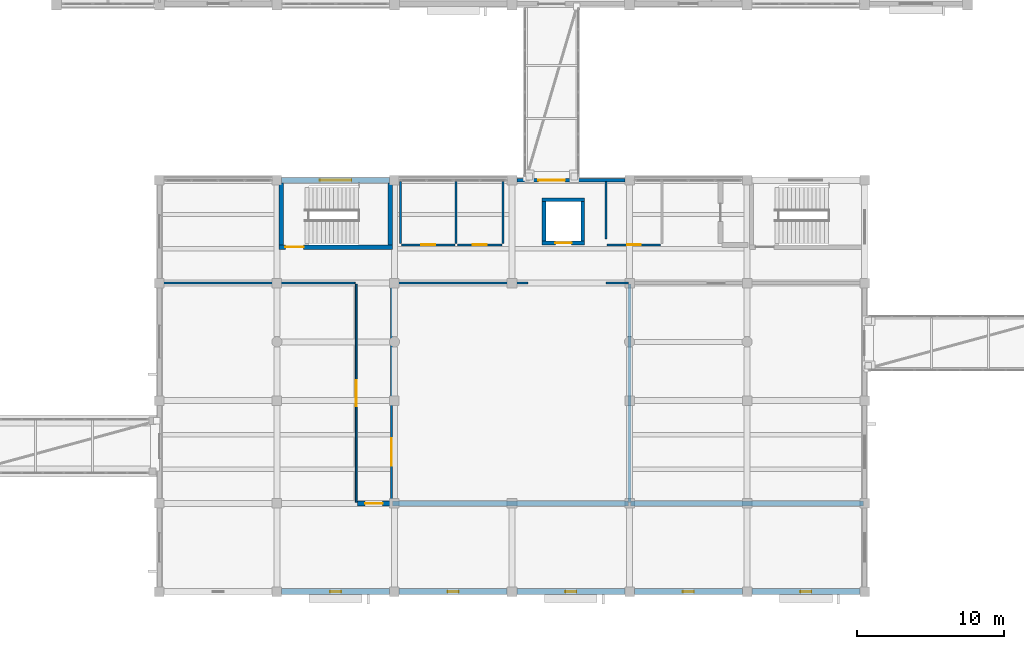
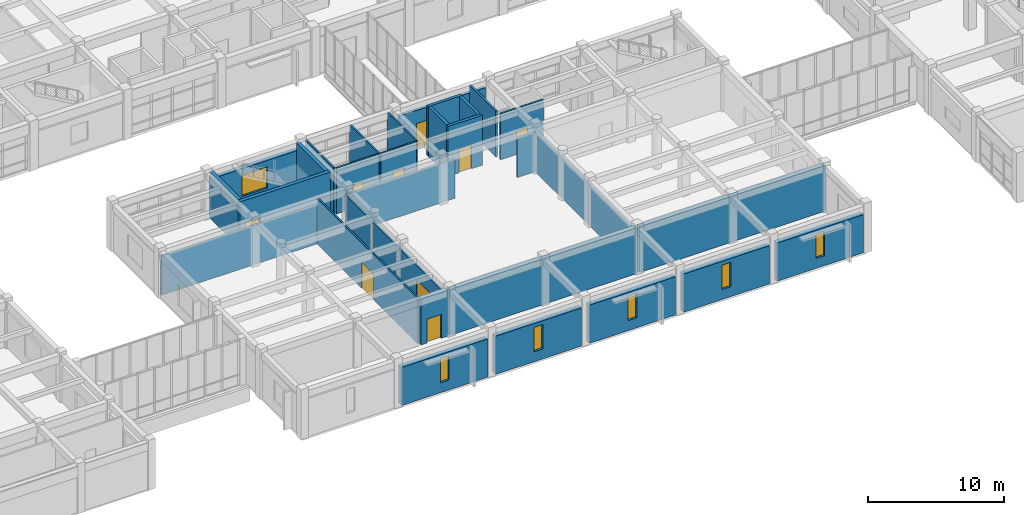
# One storey, part 50 of 72: 30 walls, 9 doors, 6 windows, 15 openings.
"""IFC4 building model written with IfcOpenShell, lengths in metres."""

from ifc_helpers import new_model, si_unit, direction, frame, frame_2d, origin, place, context, subcontext, project, spatial, rectangle, extrude, material, layer, layer_set, type_object, element, fill, save


model = new_model("IFC4")

# Units and contexts
model_context = context("Model", 3, precision=1e-05, world=origin(), true_north=direction((0.0, 1.0)))
body_context = subcontext(model_context, "Body", "Model", "MODEL_VIEW")
ifc_project = project(units=[si_unit("LENGTHUNIT", "METRE"), si_unit("AREAUNIT", "SQUARE_METRE"), si_unit("VOLUMEUNIT", "CUBIC_METRE"), si_unit("PLANEANGLEUNIT", "RADIAN"), si_unit("MASSUNIT", "GRAM", prefix="KILO")], contexts=[model_context])

# Site, building, storey
site_placement = place(None, origin())
site = spatial("IfcSite", under=ifc_project, at=site_placement, CompositionType="ELEMENT")
building_placement = place(site_placement, origin())
building = spatial("IfcBuilding", under=site, at=building_placement, Name="Naurynzar Civic Courthouse", CompositionType="ELEMENT")
storey_placement = place(building_placement, frame((0.0, 0.0, 9.89990234375)))
storey = spatial("IfcBuildingStorey", under=building, at=storey_placement, Name="L03", CompositionType="ELEMENT", Elevation=9.89990234375)

# Wall, opening, door
ifc_material_1 = material(Name="Concrete C40/50", Category="concrete")
ifc_layer_1 = layer(ifc_material_1, 0.300048828125)
ifc_layer_set_1 = layer_set([ifc_layer_1], Name="WL-CORE-300")
wall_type_1 = type_object("IfcWallType", Name="WL-CORE-300", PredefinedType="SHEAR", material=ifc_layer_set_1)
wall_1_placement = place(storey_placement, frame((77.14990234375, 27.449951171875, 0.0), z_axis=(0.0, 0.0, 1.0), x_axis=(1.0, 0.0, 0.0)))
wall_1 = element("IfcWall", 1, at=wall_1_placement, inside=storey, type_object=wall_type_1, Name="Stair ST-V3A enclosure wall south L03", PredefinedType="SHEAR", context=body_context, shape_type="SweptSolid", body=[
    extrude(rectangle(XDim=7.7001953125, YDim=0.300048828125, at=frame_2d((3.85009765625, 0.0))), origin(), (0.0, 0.0, 1.0), 4.16015625),
])
opening_1_placement = place(wall_1_placement, frame((0.425048828125, 0.0, 0.0)))
opening_1 = element("IfcOpeningElement", 2, at=opening_1_placement, cuts=wall_1, Name="Opening SD-048", PredefinedType="OPENING", context=body_context, shape_type="SweptSolid", body=[
    extrude(rectangle(XDim=1.25, YDim=2.14990234375, at=frame_2d((0.625, 1.074951171875))), frame((0.0, 0.159912109375, 0.0), z_axis=(0.0, -1.0, 0.0), x_axis=(1.0, 0.0, 0.0)), (0.0, 0.0, 1.0), 0.320068359375),
])
ifc_material_2 = material(Name="Powder-Coated Galvanised Steel", Category="steel")
door_type_1 = type_object("IfcDoorType", Name="DR-STAIR-1250x2150", OperationType="NOTDEFINED", PredefinedType="DOOR", material=ifc_material_2)
door_1_placement = place(opening_1_placement, origin())
door_1 = element("IfcDoor", 3, at=door_1_placement, inside=storey, type_object=door_type_1, Name="Stair ST-V3A fire door L03", OperationType="SINGLE_SWING_RIGHT", OverallHeight=2.14990234375, OverallWidth=1.25, PredefinedType="DOOR", context=body_context, shape_type="SweptSolid", body=[
    extrude(rectangle(XDim=1.25, YDim=2.14990234375, at=frame_2d((0.625, 1.074951171875))), frame((0.0, 0.02490234375, 0.0), z_axis=(0.0, -1.0, 0.0), x_axis=(1.0, 0.0, 0.0)), (0.0, 0.0, 1.0), 0.050048828125),
])
fill(opening_1, door_1)

# Walls
for number, where, z_axis, x_axis, name in (
    (4, (77.300048828125, 31.804931640625, 0.0), (0.0, 0.0, 1.0), (0.0, -1.0, 0.0), "Stair ST-V3A enclosure wall west L03"),
    (5, (84.699951171875, 27.60498046875, 0.0), (0.0, 0.0, 1.0), (0.0, 1.0, 0.0), "Stair ST-V3A enclosure wall east L03"),
):
    element("IfcWall", number, at=place(storey_placement, frame(where, z_axis=z_axis, x_axis=x_axis)), inside=storey, type_object=wall_type_1, Name=name, PredefinedType="SHEAR", context=body_context, shape_type="SweptSolid", body=[
        extrude(rectangle(XDim=4.199951171875, YDim=0.300048828125, at=frame_2d((2.10009765625, 0.0))), origin(), (0.0, 0.0, 1.0), 4.16015625),
    ])

# Wall, opening, door
ifc_material_3 = material(Name="Concrete C40/50", Category="concrete")
ifc_layer_2 = layer(ifc_material_3, 0.35009765625)
ifc_layer_set_2 = layer_set([ifc_layer_2], Name="WL-CORE-350")
wall_type_2 = type_object("IfcWallType", Name="WL-CORE-350", PredefinedType="SHEAR", material=ifc_layer_set_2)
wall_2_placement = place(storey_placement, frame((82.47998046875, 10.0, 0.0), z_axis=(0.0, 0.0, 1.0), x_axis=(1.0, 0.0, 0.0)))
wall_2 = element("IfcWall", 6, at=wall_2_placement, inside=storey, type_object=wall_type_2, Name="V3 interior partition L03.316", PredefinedType="SHEAR", context=body_context, shape_type="SweptSolid", body=[
    extrude(rectangle(XDim=2.239990234375, YDim=0.35009765625, at=frame_2d((1.1201171875, 0.0))), origin(), (0.0, 0.0, 1.0), 4.14013671875),
])
opening_2_placement = place(wall_2_placement, frame((0.52001953125, 0.0, 0.0)))
opening_2 = element("IfcOpeningElement", 7, at=opening_2_placement, cuts=wall_2, Name="Opening D-240", PredefinedType="OPENING", context=body_context, shape_type="SweptSolid", body=[
    extrude(rectangle(XDim=1.199951171875, YDim=2.14990234375, at=frame_2d((0.60009765625, 1.074951171875))), frame((0.0, 0.18505859375, 0.0), z_axis=(0.0, -1.0, 0.0), x_axis=(1.0, 0.0, 0.0)), (0.0, 0.0, 1.0), 0.3701171875),
])
ifc_material_4 = material(Name="Powder-Coated Galvanised Steel", Category="steel")
door_type_2 = type_object("IfcDoorType", Name="DR-ARCH-1200x2150", OperationType="NOTDEFINED", PredefinedType="DOOR", material=ifc_material_4)
door_2_placement = place(opening_2_placement, origin())
door_2 = element("IfcDoor", 8, at=door_2_placement, inside=storey, type_object=door_type_2, Name="Interior door D-240 (Law Library Book Stacks South L03)", OperationType="SINGLE_SWING_RIGHT", OverallHeight=2.14990234375, OverallWidth=1.199951171875, PredefinedType="DOOR", context=body_context, shape_type="SweptSolid", body=[
    extrude(rectangle(XDim=1.199951171875, YDim=2.14990234375, at=frame_2d((0.60009765625, 1.074951171875))), frame((0.0, 0.02490234375, 0.0), z_axis=(0.0, -1.0, 0.0), x_axis=(1.0, 0.0, 0.0)), (0.0, 0.0, 1.0), 0.050048828125),
])
fill(opening_2, door_2)

# Walls
wall_3_placement = place(storey_placement, frame((84.8798828125, 10.0, 0.0), z_axis=(0.0, 0.0, 1.0), x_axis=(1.0, 0.0, 0.0)))
element("IfcWall", 9, at=wall_3_placement, inside=storey, type_object=wall_type_2, Name="V3 interior partition L03.317", PredefinedType="SHEAR", context=body_context, shape_type="SweptSolid", body=[
    extrude(rectangle(XDim=16.0400390625, YDim=0.35009765625, at=frame_2d((8.02001953125, 0.0))), origin(), (0.0, 0.0, 1.0), 4.14013671875),
])
wall_4_placement = place(storey_placement, frame((101.080078125, 10.0, 0.0), z_axis=(0.0, 0.0, 1.0), x_axis=(1.0, 0.0, 0.0)))
element("IfcWall", 10, at=wall_4_placement, inside=storey, type_object=wall_type_2, Name="V3 interior partition L03.318", PredefinedType="SHEAR", context=body_context, shape_type="SweptSolid", body=[
    extrude(rectangle(XDim=15.83984375, YDim=0.35009765625, at=frame_2d((7.919921875, 0.0))), origin(), (0.0, 0.0, 1.0), 4.14013671875),
])

# Wall, opening, door
ifc_material_5 = material(Name="Precast concrete C40/50", Category="concrete")
ifc_layer_3 = layer(ifc_material_5, 0.260009765625)
ifc_layer_set_3 = layer_set([ifc_layer_3], Name="WL-EXT-260")
wall_type_3 = type_object("IfcWallType", Name="WL-EXT-260", PredefinedType="SOLIDWALL", material=ifc_layer_set_3)
wall_5_placement = place(storey_placement, frame((93.324951171875, 32.0, 0.0), z_axis=(0.0, 0.0, 1.0), x_axis=(1.0, 0.0, 0.0)))
wall_5 = element("IfcWall", 11, at=wall_5_placement, inside=storey, type_object=wall_type_3, Name="V3 exterior wall north L03.4.1", PredefinedType="SOLIDWALL", context=body_context, shape_type="SweptSolid", body=[
    extrude(rectangle(XDim=7.35009765625, YDim=0.260009765625, at=frame_2d((3.675048828125, 0.0))), origin(), (0.0, 0.0, 1.0), 3.440185546875),
])
opening_3_placement = place(wall_5_placement, frame((1.47509765625, 0.0, 0.0)))
opening_3 = element("IfcOpeningElement", 12, at=opening_3_placement, cuts=wall_5, Name="Opening BD-23", PredefinedType="OPENING", context=body_context, shape_type="SweptSolid", body=[
    extrude(rectangle(XDim=1.800048828125, YDim=2.25, at=frame_2d((0.89990234375, 1.125))), frame((0.0, 0.139892578125, 0.0), z_axis=(0.0, -1.0, 0.0), x_axis=(1.0, 0.0, 0.0)), (0.0, 0.0, 1.0), 0.280029296875),
])
ifc_material_6 = material(Name="Aluminium 6063-T6", Category="aluminium")
door_type_3 = type_object("IfcDoorType", Name="DR-BRG-1800x2250", OperationType="DOUBLE_DOOR_SINGLE_SWING", PredefinedType="DOOR", material=ifc_material_6)
door_3_placement = place(opening_3_placement, origin())
door_3 = element("IfcDoor", 13, at=door_3_placement, inside=storey, type_object=door_type_3, Name="Seismic bridge fire door BD-23", OperationType="DOUBLE_DOOR_SINGLE_SWING", OverallHeight=2.25, OverallWidth=1.800048828125, PredefinedType="DOOR", context=body_context, shape_type="SweptSolid", body=[
    extrude(rectangle(XDim=1.800048828125, YDim=2.25, at=frame_2d((0.89990234375, 1.125))), frame((0.0, 0.02490234375, 0.0), z_axis=(0.0, -1.0, 0.0), x_axis=(1.0, 0.0, 0.0)), (0.0, 0.0, 1.0), 0.050048828125),
])
fill(opening_3, door_3)

# Walls
ifc_material_7 = material(Name="Fire-Rated Corridor Gypsum Partition")
ifc_layer_4 = layer(ifc_material_7, 0.14990234375)
ifc_layer_set_4 = layer_set([ifc_layer_4], Name="WL-PART-CORR-150")
wall_type_4 = type_object("IfcWallType", Name="WL-PART-CORR-150", PredefinedType="PARTITIONING", material=ifc_layer_set_4)
wall_6_placement = place(storey_placement, frame((84.8798828125, 25.0, 0.0), z_axis=(0.0, 0.0, 1.0), x_axis=(1.0, 0.0, 0.0)))
element("IfcWall", 14, at=wall_6_placement, inside=storey, type_object=wall_type_4, Name="V3 interior partition L03.328", PredefinedType="PARTITIONING", context=body_context, shape_type="SweptSolid", body=[
    extrude(rectangle(XDim=9.22021484375, YDim=0.14990234375, at=frame_2d((4.610107421875, 0.0))), origin(), (0.0, 0.0, 1.0), 3.56005859375),
])
wall_7_placement = place(storey_placement, frame((99.39990234375, 25.0, 0.0), z_axis=(0.0, 0.0, 1.0), x_axis=(1.0, 0.0, 0.0)))
element("IfcWall", 15, at=wall_7_placement, inside=storey, type_object=wall_type_4, Name="V3 interior partition L03.329", PredefinedType="PARTITIONING", context=body_context, shape_type="SweptSolid", body=[
    extrude(rectangle(XDim=1.52001953125, YDim=0.14990234375, at=frame_2d((0.760009765625, 0.0))), origin(), (0.0, 0.0, 1.0), 3.56005859375),
])

# Wall, opening, door
wall_8_placement = place(storey_placement, frame((84.800048828125, 10.080078125, 0.0), z_axis=(0.0, 0.0, 1.0), x_axis=(0.0, 1.0, 0.0)))
wall_8 = element("IfcWall", 16, at=wall_8_placement, inside=storey, type_object=wall_type_4, Name="V3 interior partition L03.405", PredefinedType="PARTITIONING", context=body_context, shape_type="SweptSolid", body=[
    extrude(rectangle(XDim=14.83984375, YDim=0.14990234375, at=frame_2d((7.419921875, 0.0))), origin(), (0.0, 0.0, 1.0), 3.610107421875),
])
opening_4_placement = place(wall_8_placement, frame((2.4951171875, 0.0, 0.0)))
opening_4 = element("IfcOpeningElement", 17, at=opening_4_placement, cuts=wall_8, Name="Opening D-243", PredefinedType="OPENING", context=body_context, shape_type="SweptSolid", body=[
    extrude(rectangle(XDim=1.85009765625, YDim=2.300048828125, at=frame_2d((0.925048828125, 1.14990234375))), frame((0.0, 0.0849609375, 0.0), z_axis=(0.0, -1.0, 0.0), x_axis=(1.0, 0.0, 0.0)), (0.0, 0.0, 1.0), 0.169921875),
])
ifc_material_8 = material(Name="Acoustic Oak Timber Grade A", Category="wood")
door_type_4 = type_object("IfcDoorType", Name="DR-SUITE-1850x2300", OperationType="DOUBLE_DOOR_SINGLE_SWING", PredefinedType="DOOR", material=ifc_material_8)
door_4_placement = place(opening_4_placement, origin())
door_4 = element("IfcDoor", 18, at=door_4_placement, inside=storey, type_object=door_type_4, Name="Interior door D-243 (Law Library Reading Room L06)", OperationType="DOUBLE_DOOR_SINGLE_SWING", OverallHeight=2.300048828125, OverallWidth=1.85009765625, PredefinedType="DOOR", context=body_context, shape_type="SweptSolid", body=[
    extrude(rectangle(XDim=1.85009765625, YDim=2.300048828125, at=frame_2d((0.925048828125, 1.14990234375))), frame((0.0, 0.02490234375, 0.0), z_axis=(0.0, -1.0, 0.0), x_axis=(1.0, 0.0, 0.0)), (0.0, 0.0, 1.0), 0.050048828125),
])
fill(opening_4, door_4)

# Walls
ifc_material_9 = material(Name="Acoustic Double-Stud Gypsum Partition")
ifc_layer_5 = layer(ifc_material_9, 0.179931640625)
ifc_layer_set_5 = layer_set([ifc_layer_5], Name="WL-PART-JURY-180")
wall_type_5 = type_object("IfcWallType", Name="WL-PART-JURY-180", PredefinedType="PARTITIONING", material=ifc_layer_set_5)
wall_9_placement = place(storey_placement, frame((101.0, 10.080078125, 0.0), z_axis=(0.0, 0.0, 1.0), x_axis=(0.0, 1.0, 0.0)))
element("IfcWall", 19, at=wall_9_placement, inside=storey, type_object=wall_type_5, Name="V3 interior partition L03.415", PredefinedType="PARTITIONING", context=body_context, shape_type="SweptSolid", body=[
    extrude(rectangle(XDim=14.83984375, YDim=0.179931640625, at=frame_2d((7.419921875, 0.0))), origin(), (0.0, 0.0, 1.0), 3.610107421875),
])
ifc_material_10 = material(Name="Metal-Stud Gypsum Partition")
ifc_layer_6 = layer(ifc_material_10, 0.125)
ifc_layer_set_6 = layer_set([ifc_layer_6], Name="WL-PART-STD-125")
wall_type_6 = type_object("IfcWallType", Name="WL-PART-STD-125", PredefinedType="PARTITIONING", material=ifc_layer_set_6)
wall_10_placement = place(storey_placement, frame((69.080078125, 25.0, 0.0), z_axis=(0.0, 0.0, 1.0), x_axis=(1.0, 0.0, 0.0)))
element("IfcWall", 20, at=wall_10_placement, inside=storey, type_object=wall_type_6, Name="V3 interior partition L03.327", PredefinedType="PARTITIONING", context=body_context, shape_type="SweptSolid", body=[
    extrude(rectangle(XDim=13.239990234375, YDim=0.125, at=frame_2d((6.6201171875, 0.0))), origin(), (0.0, 0.0, 1.0), 3.56005859375),
])

# Wall, opening, door
wall_11_placement = place(storey_placement, frame((82.39990234375, 10.080078125, 0.0), z_axis=(0.0, 0.0, 1.0), x_axis=(0.0, 1.0, 0.0)))
wall_11 = element("IfcWall", 21, at=wall_11_placement, inside=storey, type_object=wall_type_6, Name="V3 interior partition L03.404", PredefinedType="PARTITIONING", context=body_context, shape_type="SweptSolid", body=[
    extrude(rectangle(XDim=14.83984375, YDim=0.125, at=frame_2d((7.419921875, 0.0))), origin(), (0.0, 0.0, 1.0), 4.14013671875),
])
opening_5_placement = place(wall_11_placement, frame((6.544921875, 0.0, 0.0)))
opening_5 = element("IfcOpeningElement", 22, at=opening_5_placement, cuts=wall_11, Name="Opening D-242", PredefinedType="OPENING", context=body_context, shape_type="SweptSolid", body=[
    extrude(rectangle(XDim=1.75, YDim=2.300048828125, at=frame_2d((0.875, 1.14990234375))), frame((0.0, 0.072509765625, 0.0), z_axis=(0.0, -1.0, 0.0), x_axis=(1.0, 0.0, 0.0)), (0.0, 0.0, 1.0), 0.14501953125),
])
ifc_material_11 = material(Name="Acoustic Oak Timber Grade A", Category="wood")
door_type_5 = type_object("IfcDoorType", Name="DR-SUITE-1750x2300", OperationType="DOUBLE_DOOR_SINGLE_SWING", PredefinedType="DOOR", material=ifc_material_11)
door_5_placement = place(opening_5_placement, origin())
door_5 = element("IfcDoor", 23, at=door_5_placement, inside=storey, type_object=door_type_5, Name="Interior door D-242 (Law Library Reading Room West L06)", OperationType="DOUBLE_DOOR_SINGLE_SWING", OverallHeight=2.300048828125, OverallWidth=1.75, PredefinedType="DOOR", context=body_context, shape_type="SweptSolid", body=[
    extrude(rectangle(XDim=1.75, YDim=2.300048828125, at=frame_2d((0.875, 1.14990234375))), frame((0.0, 0.02490234375, 0.0), z_axis=(0.0, -1.0, 0.0), x_axis=(1.0, 0.0, 0.0)), (0.0, 0.0, 1.0), 0.050048828125),
])
fill(opening_5, door_5)

ifc_material_12 = material(Name="Moisture-Resistant Plumbing Partition")
ifc_layer_7 = layer(ifc_material_12, 0.139892578125)
ifc_layer_set_7 = layer_set([ifc_layer_7], Name="WL-PART-WC-140")
wall_type_7 = type_object("IfcWallType", Name="WL-PART-WC-140", PredefinedType="PLUMBINGWALL", material=ifc_layer_set_7)
wall_12_placement = place(storey_placement, frame((85.47998046875, 27.60009765625, 0.0), z_axis=(0.0, 0.0, 1.0), x_axis=(1.0, 0.0, 0.0)))
wall_12 = element("IfcWall", 24, at=wall_12_placement, inside=storey, type_object=wall_type_7, Name="V3 interior partition L03.334", PredefinedType="PLUMBINGWALL", context=body_context, shape_type="SweptSolid", body=[
    extrude(rectangle(XDim=3.64013671875, YDim=0.139892578125, at=frame_2d((1.820068359375, 0.0))), origin(), (0.0, 0.0, 1.0), 4.14013671875),
])
opening_6_placement = place(wall_12_placement, frame((1.360107421875, 0.0, 0.0)))
opening_6 = element("IfcOpeningElement", 25, at=opening_6_placement, cuts=wall_12, Name="Opening D-237", PredefinedType="OPENING", context=body_context, shape_type="SweptSolid", body=[
    extrude(rectangle(XDim=0.919921875, YDim=2.10009765625, at=frame_2d((0.4599609375, 1.050048828125))), frame((0.0, 0.079833984375, 0.0), z_axis=(0.0, -1.0, 0.0), x_axis=(1.0, 0.0, 0.0)), (0.0, 0.0, 1.0), 0.159912109375),
])
ifc_material_13 = material(Name="Acoustic Oak Timber Grade A", Category="wood")
door_type_6 = type_object("IfcDoorType", Name="DR-WC-STD-920x2100", OperationType="NOTDEFINED", PredefinedType="DOOR", material=ifc_material_13)
door_6_placement = place(opening_6_placement, origin())
door_6 = element("IfcDoor", 26, at=door_6_placement, inside=storey, type_object=door_type_6, Name="Interior door D-237 (Public WC V3)", OperationType="SINGLE_SWING_LEFT", OverallHeight=2.10009765625, OverallWidth=0.919921875, PredefinedType="DOOR", context=body_context, shape_type="SweptSolid", body=[
    extrude(rectangle(XDim=0.919921875, YDim=2.10009765625, at=frame_2d((0.4599609375, 1.050048828125))), frame((0.0, 0.02490234375, 0.0), z_axis=(0.0, -1.0, 0.0), x_axis=(1.0, 0.0, 0.0)), (0.0, 0.0, 1.0), 0.050048828125),
])
fill(opening_6, door_6)

wall_13_placement = place(storey_placement, frame((89.280029296875, 27.60009765625, 0.0), z_axis=(0.0, 0.0, 1.0), x_axis=(1.0, 0.0, 0.0)))
wall_13 = element("IfcWall", 27, at=wall_13_placement, inside=storey, type_object=wall_type_7, Name="V3 interior partition L03.335", PredefinedType="PLUMBINGWALL", context=body_context, shape_type="SweptSolid", body=[
    extrude(rectangle(XDim=3.0400390625, YDim=0.139892578125, at=frame_2d((1.52001953125, 0.0))), origin(), (0.0, 0.0, 1.0), 4.14013671875),
])
opening_7_placement = place(wall_13_placement, frame((1.0400390625, 0.0, 0.0)))
opening_7 = element("IfcOpeningElement", 28, at=opening_7_placement, cuts=wall_13, Name="Opening D-238", PredefinedType="OPENING", context=body_context, shape_type="SweptSolid", body=[
    extrude(rectangle(XDim=0.9599609375, YDim=2.10009765625, at=frame_2d((0.47998046875, 1.050048828125))), frame((0.0, 0.079833984375, 0.0), z_axis=(0.0, -1.0, 0.0), x_axis=(1.0, 0.0, 0.0)), (0.0, 0.0, 1.0), 0.159912109375),
])
ifc_material_14 = material(Name="Acoustic Oak Timber Grade A", Category="wood")
door_type_7 = type_object("IfcDoorType", Name="DR-WC-ACC-960x2100", OperationType="NOTDEFINED", PredefinedType="DOOR", material=ifc_material_14)
door_7_placement = place(opening_7_placement, origin())
door_7 = element("IfcDoor", 29, at=door_7_placement, inside=storey, type_object=door_type_7, Name="Interior door D-238 (Accessible WC V3)", OperationType="SINGLE_SWING_RIGHT", OverallHeight=2.10009765625, OverallWidth=0.9599609375, PredefinedType="DOOR", context=body_context, shape_type="SweptSolid", body=[
    extrude(rectangle(XDim=0.9599609375, YDim=2.10009765625, at=frame_2d((0.47998046875, 1.050048828125))), frame((0.0, 0.02490234375, 0.0), z_axis=(0.0, -1.0, 0.0), x_axis=(1.0, 0.0, 0.0)), (0.0, 0.0, 1.0), 0.050048828125),
])
fill(opening_7, door_7)

wall_14_placement = place(storey_placement, frame((99.47998046875, 27.60009765625, 0.0), z_axis=(0.0, 0.0, 1.0), x_axis=(1.0, 0.0, 0.0)))
wall_14 = element("IfcWall", 30, at=wall_14_placement, inside=storey, type_object=wall_type_7, Name="V3 interior partition L03.336", PredefinedType="PLUMBINGWALL", context=body_context, shape_type="SweptSolid", body=[
    extrude(rectangle(XDim=3.64013671875, YDim=0.139892578125, at=frame_2d((1.820068359375, 0.0))), origin(), (0.0, 0.0, 1.0), 4.14013671875),
])
opening_8_placement = place(wall_14_placement, frame((1.360107421875, 0.0, 0.0)))
opening_8 = element("IfcOpeningElement", 31, at=opening_8_placement, cuts=wall_14, Name="Opening D-239", PredefinedType="OPENING", context=body_context, shape_type="SweptSolid", body=[
    extrude(rectangle(XDim=0.919921875, YDim=2.10009765625, at=frame_2d((0.4599609375, 1.050048828125))), frame((0.0, 0.079833984375, 0.0), z_axis=(0.0, -1.0, 0.0), x_axis=(1.0, 0.0, 0.0)), (0.0, 0.0, 1.0), 0.159912109375),
])
door_8_placement = place(opening_8_placement, origin())
door_8 = element("IfcDoor", 32, at=door_8_placement, inside=storey, type_object=door_type_6, Name="Interior door D-239 (Staff WC V3)", OperationType="SINGLE_SWING_LEFT", OverallHeight=2.10009765625, OverallWidth=0.919921875, PredefinedType="DOOR", context=body_context, shape_type="SweptSolid", body=[
    extrude(rectangle(XDim=0.919921875, YDim=2.10009765625, at=frame_2d((0.4599609375, 1.050048828125))), frame((0.0, 0.02490234375, 0.0), z_axis=(0.0, -1.0, 0.0), x_axis=(1.0, 0.0, 0.0)), (0.0, 0.0, 1.0), 0.050048828125),
])
fill(opening_8, door_8)

# Walls
for number, where, z_axis, x_axis, name in (
    (33, (85.39990234375, 27.679931640625, 0.0), (0.0, 0.0, 1.0), (0.0, 1.0, 0.0), "V3 interior partition L03.406"),
    (34, (89.199951171875, 27.679931640625, 0.0), (0.0, 0.0, 1.0), (0.0, 1.0, 0.0), "V3 interior partition L03.408"),
    (35, (92.39990234375, 27.679931640625, 0.0), (0.0, 0.0, 1.0), (0.0, 1.0, 0.0), "V3 interior partition L03.410"),
):
    element("IfcWall", number, at=place(storey_placement, frame(where, z_axis=z_axis, x_axis=x_axis)), inside=storey, type_object=wall_type_7, Name=name, PredefinedType="PLUMBINGWALL", context=body_context, shape_type="SweptSolid", body=[
        extrude(rectangle(XDim=4.239990234375, YDim=0.139892578125, at=frame_2d((2.1201171875, 0.0))), origin(), (0.0, 0.0, 1.0), 4.14013671875),
    ])
wall_15_placement = place(storey_placement, frame((99.39990234375, 28.0, 0.0), z_axis=(0.0, 0.0, 1.0), x_axis=(0.0, 1.0, 0.0)))
element("IfcWall", 36, at=wall_15_placement, inside=storey, type_object=wall_type_7, Name="V3 interior partition L03.414", PredefinedType="PLUMBINGWALL", context=body_context, shape_type="SweptSolid", body=[
    extrude(rectangle(XDim=3.919921875, YDim=0.139892578125, at=frame_2d((1.9599609375, 0.0))), origin(), (0.0, 0.0, 1.0), 4.14013671875),
])

# Wall, opening, window
ifc_material_15 = material(Name="Concrete C40/50", Category="concrete")
ifc_layer_8 = layer(ifc_material_15, 0.3798828125)
ifc_layer_set_8 = layer_set([ifc_layer_8], Name="WL-RET-380")
wall_type_8 = type_object("IfcWallType", Name="WL-RET-380", PredefinedType="STANDARD", material=ifc_layer_set_8)
wall_16_placement = place(storey_placement, frame((77.324951171875, 32.0, 0.0), z_axis=(0.0, 0.0, 1.0), x_axis=(1.0, 0.0, 0.0)))
wall_16 = element("IfcWall", 37, at=wall_16_placement, inside=storey, type_object=wall_type_8, Name="V3 exterior wall north L03.2.1", PredefinedType="STANDARD", context=body_context, shape_type="SweptSolid", body=[
    extrude(rectangle(XDim=7.35009765625, YDim=0.3798828125, at=frame_2d((3.675048828125, 0.0))), origin(), (0.0, 0.0, 1.0), 3.440185546875),
])
opening_9_placement = place(wall_16_placement, frame((2.60009765625, 0.0, 0.949951171875)))
opening_9 = element("IfcOpeningElement", 38, at=opening_9_placement, cuts=wall_16, Name="Opening WM-16", PredefinedType="OPENING", context=body_context, shape_type="SweptSolid", body=[
    extrude(rectangle(XDim=2.14990234375, YDim=1.89990234375, at=frame_2d((1.074951171875, 0.949951171875))), frame((0.0, 0.199951171875, 0.0), z_axis=(0.0, -1.0, 0.0), x_axis=(1.0, 0.0, 0.0)), (0.0, 0.0, 1.0), 0.39990234375),
])
ifc_material_16 = material(Name="Tempered Laminated Low-E Glass", Category="glass")
window_type_1 = type_object("IfcWindowType", Name="WIN-MOD-2150x1900", PartitioningType="DOUBLE_PANEL_VERTICAL", PredefinedType="WINDOW", material=ifc_material_16)
window_1_placement = place(opening_9_placement, origin())
window_1 = element("IfcWindow", 39, at=window_1_placement, inside=storey, type_object=window_type_1, Name="Modular glazed window 16", OverallHeight=1.89990234375, OverallWidth=2.14990234375, PartitioningType="SINGLE_PANEL", PredefinedType="WINDOW", context=body_context, shape_type="SweptSolid", body=[
    extrude(rectangle(XDim=2.14990234375, YDim=1.89990234375, at=frame_2d((1.074951171875, 0.949951171875))), frame((0.0, 0.030029296875, 0.0), z_axis=(0.0, -1.0, 0.0), x_axis=(1.0, 0.0, 0.0)), (0.0, 0.0, 1.0), 0.06005859375),
])
fill(opening_9, window_1)

# Wall, opening, door
ifc_material_17 = material(Name="Concrete C40/50", Category="concrete")
ifc_layer_9 = layer(ifc_material_17, 0.25)
ifc_layer_set_9 = layer_set([ifc_layer_9], Name="WL-SHAFT-250")
wall_type_9 = type_object("IfcWallType", Name="WL-SHAFT-250", PredefinedType="SHEAR", material=ifc_layer_set_9)
wall_17_placement = place(storey_placement, frame((95.050048828125, 27.72509765625, 0.0), z_axis=(0.0, 0.0, 1.0), x_axis=(1.0, 0.0, 0.0)))
wall_17 = element("IfcWall", 40, at=wall_17_placement, inside=storey, type_object=wall_type_9, Name="Lift LP-04 shaft wall south L03", PredefinedType="SHEAR", context=body_context, shape_type="SweptSolid", body=[
    extrude(rectangle(XDim=2.89990234375, YDim=0.25, at=frame_2d((1.449951171875, 0.0))), origin(), (0.0, 0.0, 1.0), 4.5),
])
opening_10_placement = place(wall_17_placement, frame((0.89990234375, 0.0, 0.0)))
opening_10 = element("IfcOpeningElement", 41, at=opening_10_placement, cuts=wall_17, Name="Opening LD-064", PredefinedType="OPENING", context=body_context, shape_type="SweptSolid", body=[
    extrude(rectangle(XDim=1.10009765625, YDim=2.14990234375, at=frame_2d((0.550048828125, 1.074951171875))), frame((0.0, 0.135009765625, 0.0), z_axis=(0.0, -1.0, 0.0), x_axis=(1.0, 0.0, 0.0)), (0.0, 0.0, 1.0), 0.27001953125),
])
ifc_material_18 = material(Name="Brushed Stainless Steel 304", Category="steel")
door_type_8 = type_object("IfcDoorType", Name="DR-LIFT-SLIDE-1100x2150", OperationType="DOUBLE_DOOR_SLIDING", PredefinedType="DOOR", material=ifc_material_18)
door_9_placement = place(opening_10_placement, origin())
door_9 = element("IfcDoor", 42, at=door_9_placement, inside=storey, type_object=door_type_8, Name="Lift LP-04 sliding landing door L03", OperationType="DOUBLE_DOOR_SLIDING", OverallHeight=2.14990234375, OverallWidth=1.10009765625, PredefinedType="DOOR", context=body_context, shape_type="SweptSolid", body=[
    extrude(rectangle(XDim=1.10009765625, YDim=2.14990234375, at=frame_2d((0.550048828125, 1.074951171875))), frame((0.0, 0.02490234375, 0.0), z_axis=(0.0, -1.0, 0.0), x_axis=(1.0, 0.0, 0.0)), (0.0, 0.0, 1.0), 0.050048828125),
])
fill(opening_10, door_9)

# Walls
wall_18_placement = place(storey_placement, frame((97.949951171875, 30.675048828125, 0.0), z_axis=(0.0, 0.0, 1.0), x_axis=(-1.0, 0.0, 0.0)))
element("IfcWall", 43, at=wall_18_placement, inside=storey, type_object=wall_type_9, Name="Lift LP-04 shaft wall north L03", PredefinedType="SHEAR", context=body_context, shape_type="SweptSolid", body=[
    extrude(rectangle(XDim=2.89990234375, YDim=0.25, at=frame_2d((1.449951171875, 0.0))), origin(), (0.0, 0.0, 1.0), 4.5),
])
for number, where, z_axis, x_axis, name in (
    (44, (95.175048828125, 30.544921875, 0.0), (0.0, 0.0, 1.0), (0.0, -1.0, 0.0), "Lift LP-04 shaft wall west L03"),
    (45, (97.824951171875, 27.85498046875, 0.0), (0.0, 0.0, 1.0), (0.0, 1.0, 0.0), "Lift LP-04 shaft wall east L03"),
):
    element("IfcWall", number, at=place(storey_placement, frame(where, z_axis=z_axis, x_axis=x_axis)), inside=storey, type_object=wall_type_9, Name=name, PredefinedType="SHEAR", context=body_context, shape_type="SweptSolid", body=[
        extrude(rectangle(XDim=2.68994140625, YDim=0.25, at=frame_2d((1.344970703125, 0.0))), origin(), (0.0, 0.0, 1.0), 4.5),
    ])

# Wall, opening, window
ifc_material_19 = material(Name="Concrete C40/50", Category="concrete")
ifc_layer_10 = layer(ifc_material_19, 0.419921875)
ifc_layer_set_10 = layer_set([ifc_layer_10], Name="WL-STACK-420")
wall_type_10 = type_object("IfcWallType", Name="WL-STACK-420", PredefinedType="SOLIDWALL", material=ifc_layer_set_10)
wall_19_placement = place(storey_placement, frame((116.675048828125, 4.0, 0.0), z_axis=(0.0, 0.0, 1.0), x_axis=(-1.0, 0.0, 0.0)))
wall_19 = element("IfcWall", 46, at=wall_19_placement, inside=storey, type_object=wall_type_10, Name="V3 exterior wall south L03.1.1", PredefinedType="SOLIDWALL", context=body_context, shape_type="SweptSolid", body=[
    extrude(rectangle(XDim=7.35009765625, YDim=0.419921875, at=frame_2d((3.675048828125, 0.0))), origin(), (0.0, 0.0, 1.0), 3.440185546875),
])
opening_11_placement = place(wall_19_placement, frame((3.300048828125, 0.0, 0.89990234375)))
opening_11 = element("IfcOpeningElement", 47, at=opening_11_placement, cuts=wall_19, Name="Opening WN-09", PredefinedType="OPENING", context=body_context, shape_type="SweptSolid", body=[
    extrude(rectangle(XDim=0.75, YDim=2.199951171875, at=frame_2d((0.375, 1.10009765625))), frame((0.0, 0.219970703125, 0.0), z_axis=(0.0, -1.0, 0.0), x_axis=(1.0, 0.0, 0.0)), (0.0, 0.0, 1.0), 0.43994140625),
])
ifc_material_20 = material(Name="Tempered Laminated Low-E Glass", Category="glass")
window_type_2 = type_object("IfcWindowType", Name="WIN-LIB-SLOT-750x2200", PartitioningType="SINGLE_PANEL", PredefinedType="WINDOW", material=ifc_material_20)
window_2_placement = place(opening_11_placement, origin())
window_2 = element("IfcWindow", 48, at=window_2_placement, inside=storey, type_object=window_type_2, Name="V3 window 172 L03", OverallHeight=2.199951171875, OverallWidth=0.75, PartitioningType="SINGLE_PANEL", PredefinedType="WINDOW", context=body_context, shape_type="SweptSolid", body=[
    extrude(rectangle(XDim=0.75, YDim=2.199951171875, at=frame_2d((0.375, 1.10009765625))), frame((0.0, 0.030029296875, 0.0), z_axis=(0.0, -1.0, 0.0), x_axis=(1.0, 0.0, 0.0)), (0.0, 0.0, 1.0), 0.06005859375),
])
fill(opening_11, window_2)

wall_20_placement = place(storey_placement, frame((108.675048828125, 4.0, 0.0), z_axis=(0.0, 0.0, 1.0), x_axis=(-1.0, 0.0, 0.0)))
wall_20 = element("IfcWall", 49, at=wall_20_placement, inside=storey, type_object=wall_type_10, Name="V3 exterior wall south L03.2.1", PredefinedType="SOLIDWALL", context=body_context, shape_type="SweptSolid", body=[
    extrude(rectangle(XDim=7.35009765625, YDim=0.419921875, at=frame_2d((3.675048828125, 0.0))), origin(), (0.0, 0.0, 1.0), 3.440185546875),
])
opening_12_placement = place(wall_20_placement, frame((3.300048828125, 0.0, 0.89990234375)))
opening_12 = element("IfcOpeningElement", 50, at=opening_12_placement, cuts=wall_20, Name="Opening WN-09", PredefinedType="OPENING", context=body_context, shape_type="SweptSolid", body=[
    extrude(rectangle(XDim=0.75, YDim=2.199951171875, at=frame_2d((0.375, 1.10009765625))), frame((0.0, 0.219970703125, 0.0), z_axis=(0.0, -1.0, 0.0), x_axis=(1.0, 0.0, 0.0)), (0.0, 0.0, 1.0), 0.43994140625),
])
window_3_placement = place(opening_12_placement, origin())
window_3 = element("IfcWindow", 51, at=window_3_placement, inside=storey, type_object=window_type_2, Name="V3 window 173 L03", OverallHeight=2.199951171875, OverallWidth=0.75, PartitioningType="SINGLE_PANEL", PredefinedType="WINDOW", context=body_context, shape_type="SweptSolid", body=[
    extrude(rectangle(XDim=0.75, YDim=2.199951171875, at=frame_2d((0.375, 1.10009765625))), frame((0.0, 0.030029296875, 0.0), z_axis=(0.0, -1.0, 0.0), x_axis=(1.0, 0.0, 0.0)), (0.0, 0.0, 1.0), 0.06005859375),
])
fill(opening_12, window_3)

wall_21_placement = place(storey_placement, frame((100.675048828125, 4.0, 0.0), z_axis=(0.0, 0.0, 1.0), x_axis=(-1.0, 0.0, 0.0)))
wall_21 = element("IfcWall", 52, at=wall_21_placement, inside=storey, type_object=wall_type_10, Name="V3 exterior wall south L03.3.1", PredefinedType="SOLIDWALL", context=body_context, shape_type="SweptSolid", body=[
    extrude(rectangle(XDim=7.35009765625, YDim=0.419921875, at=frame_2d((3.675048828125, 0.0))), origin(), (0.0, 0.0, 1.0), 3.440185546875),
])
opening_13_placement = place(wall_21_placement, frame((3.300048828125, 0.0, 0.89990234375)))
opening_13 = element("IfcOpeningElement", 53, at=opening_13_placement, cuts=wall_21, Name="Opening WN-09", PredefinedType="OPENING", context=body_context, shape_type="SweptSolid", body=[
    extrude(rectangle(XDim=0.75, YDim=2.199951171875, at=frame_2d((0.375, 1.10009765625))), frame((0.0, 0.219970703125, 0.0), z_axis=(0.0, -1.0, 0.0), x_axis=(1.0, 0.0, 0.0)), (0.0, 0.0, 1.0), 0.43994140625),
])
window_4_placement = place(opening_13_placement, origin())
window_4 = element("IfcWindow", 54, at=window_4_placement, inside=storey, type_object=window_type_2, Name="V3 window 174 L03", OverallHeight=2.199951171875, OverallWidth=0.75, PartitioningType="SINGLE_PANEL", PredefinedType="WINDOW", context=body_context, shape_type="SweptSolid", body=[
    extrude(rectangle(XDim=0.75, YDim=2.199951171875, at=frame_2d((0.375, 1.10009765625))), frame((0.0, 0.030029296875, 0.0), z_axis=(0.0, -1.0, 0.0), x_axis=(1.0, 0.0, 0.0)), (0.0, 0.0, 1.0), 0.06005859375),
])
fill(opening_13, window_4)

wall_22_placement = place(storey_placement, frame((92.675048828125, 4.0, 0.0), z_axis=(0.0, 0.0, 1.0), x_axis=(-1.0, 0.0, 0.0)))
wall_22 = element("IfcWall", 55, at=wall_22_placement, inside=storey, type_object=wall_type_10, Name="V3 exterior wall south L03.4.1", PredefinedType="SOLIDWALL", context=body_context, shape_type="SweptSolid", body=[
    extrude(rectangle(XDim=7.35009765625, YDim=0.419921875, at=frame_2d((3.675048828125, 0.0))), origin(), (0.0, 0.0, 1.0), 3.440185546875),
])
opening_14_placement = place(wall_22_placement, frame((3.300048828125, 0.0, 0.89990234375)))
opening_14 = element("IfcOpeningElement", 56, at=opening_14_placement, cuts=wall_22, Name="Opening WN-09", PredefinedType="OPENING", context=body_context, shape_type="SweptSolid", body=[
    extrude(rectangle(XDim=0.75, YDim=2.199951171875, at=frame_2d((0.375, 1.10009765625))), frame((0.0, 0.219970703125, 0.0), z_axis=(0.0, -1.0, 0.0), x_axis=(1.0, 0.0, 0.0)), (0.0, 0.0, 1.0), 0.43994140625),
])
window_5_placement = place(opening_14_placement, origin())
window_5 = element("IfcWindow", 57, at=window_5_placement, inside=storey, type_object=window_type_2, Name="V3 window 175 L03", OverallHeight=2.199951171875, OverallWidth=0.75, PartitioningType="SINGLE_PANEL", PredefinedType="WINDOW", context=body_context, shape_type="SweptSolid", body=[
    extrude(rectangle(XDim=0.75, YDim=2.199951171875, at=frame_2d((0.375, 1.10009765625))), frame((0.0, 0.030029296875, 0.0), z_axis=(0.0, -1.0, 0.0), x_axis=(1.0, 0.0, 0.0)), (0.0, 0.0, 1.0), 0.06005859375),
])
fill(opening_14, window_5)

wall_23_placement = place(storey_placement, frame((84.675048828125, 4.0, 0.0), z_axis=(0.0, 0.0, 1.0), x_axis=(-1.0, 0.0, 0.0)))
wall_23 = element("IfcWall", 58, at=wall_23_placement, inside=storey, type_object=wall_type_10, Name="V3 exterior wall south L03.5.1", PredefinedType="SOLIDWALL", context=body_context, shape_type="SweptSolid", body=[
    extrude(rectangle(XDim=7.35009765625, YDim=0.419921875, at=frame_2d((3.675048828125, 0.0))), origin(), (0.0, 0.0, 1.0), 3.440185546875),
])
opening_15_placement = place(wall_23_placement, frame((3.300048828125, 0.0, 0.89990234375)))
opening_15 = element("IfcOpeningElement", 59, at=opening_15_placement, cuts=wall_23, Name="Opening WN-09", PredefinedType="OPENING", context=body_context, shape_type="SweptSolid", body=[
    extrude(rectangle(XDim=0.75, YDim=2.199951171875, at=frame_2d((0.375, 1.10009765625))), frame((0.0, 0.219970703125, 0.0), z_axis=(0.0, -1.0, 0.0), x_axis=(1.0, 0.0, 0.0)), (0.0, 0.0, 1.0), 0.43994140625),
])
window_6_placement = place(opening_15_placement, origin())
window_6 = element("IfcWindow", 60, at=window_6_placement, inside=storey, type_object=window_type_2, Name="V3 window 176 L03", OverallHeight=2.199951171875, OverallWidth=0.75, PartitioningType="SINGLE_PANEL", PredefinedType="WINDOW", context=body_context, shape_type="SweptSolid", body=[
    extrude(rectangle(XDim=0.75, YDim=2.199951171875, at=frame_2d((0.375, 1.10009765625))), frame((0.0, 0.030029296875, 0.0), z_axis=(0.0, -1.0, 0.0), x_axis=(1.0, 0.0, 0.0)), (0.0, 0.0, 1.0), 0.06005859375),
])
fill(opening_15, window_6)

save(model, "model.ifc")
